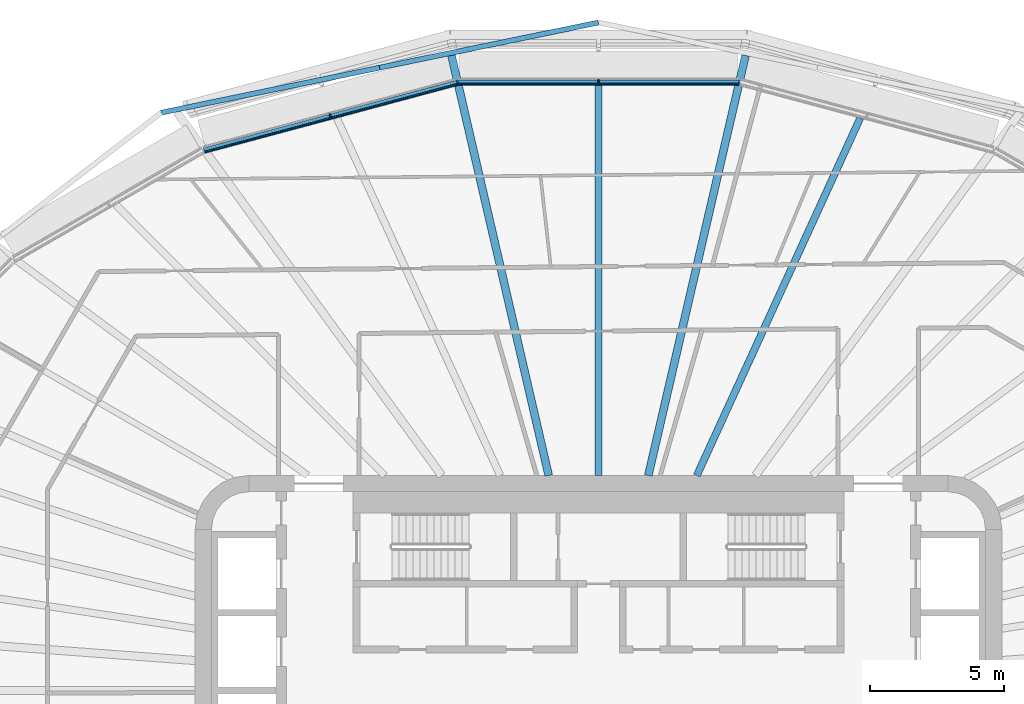
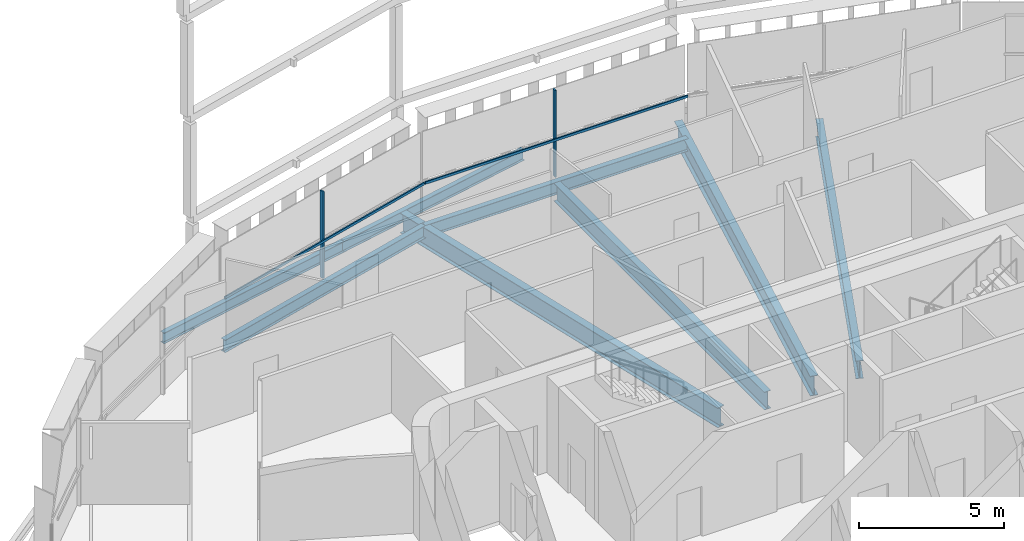
# One storey, part 7 of 22: 8 beams, 4 members, 2 elements without a shape of their own.
"""IFC4 building model written with IfcOpenShell, lengths in metres."""

from ifc_helpers import new_model, si_unit, direction, frame, origin, origin_2d, place, context, subcontext, project, spatial, rectangle, i_section, extrude, material, layer, layer_set, material_profile, profile_set, type_object, element, aggregate, save


model = new_model("IFC4")

# Units and contexts
model_context = context("Model", 3, precision=1e-05, world=origin(), true_north=direction((0.0, 1.0)))
body_context = subcontext(model_context, "Body", "Model", "MODEL_VIEW")
ifc_project = project(units=[si_unit("LENGTHUNIT", "METRE"), si_unit("AREAUNIT", "SQUARE_METRE"), si_unit("VOLUMEUNIT", "CUBIC_METRE"), si_unit("PLANEANGLEUNIT", "RADIAN"), si_unit("MASSUNIT", "GRAM", prefix="KILO")], contexts=[model_context])

# Site, building, storey
site_placement = place(None, origin())
site = spatial("IfcSite", under=ifc_project, at=site_placement, CompositionType="ELEMENT")
building_placement = place(site_placement, origin())
building = spatial("IfcBuilding", under=site, at=building_placement, Name="Sahrelin Media Tower", CompositionType="ELEMENT")
storey_placement = place(building_placement, frame((0.0, 0.0, 50.39990234375)))
storey = spatial("IfcBuildingStorey", under=building, at=storey_placement, Name="L07", CompositionType="ELEMENT", Elevation=50.39990234375)

# Beams
ifc_material_1 = material(Name="Steel S355", Category="steel")
ifc_material_profile_1 = material_profile(ifc_material_1, i_section(OverallWidth=0.208740234375, OverallDepth=0.5283203125, WebThickness=0.009521484375, FlangeThickness=0.01318359375, FilletRadius=0.0126953125, at=origin_2d()), Name="UB 533x210x82")
ifc_profile_set_1 = profile_set([ifc_material_profile_1], Name="Steel S355")
beam_type_1 = type_object("IfcBeamType", Name="Edge beam EB6", PredefinedType="BEAM", material=ifc_profile_set_1)
beam_1_placement = place(storey_placement, frame((-14.66748046875, 20.07763671875, -0.4140625), z_axis=(0.96592925142, 0.258806262002, 0.0), x_axis=(-0.258806262002, 0.96592925142, 0.0)))
element("IfcBeam", 1, at=beam_1_placement, inside=storey, type_object=beam_type_1, Name="Edge beam L07-18", PredefinedType="BEAM", context=body_context, shape_type="SweptSolid", body=[
    extrude(i_section(OverallWidth=0.208740234375, OverallDepth=0.5283203125, WebThickness=0.009521484375, FlangeThickness=0.01318359375, FilletRadius=0.0126953125, at=origin_2d()), origin(), (0.0, 0.0, 1.0), 9.738037109375),
])
beam_2_placement = place(storey_placement, frame((-5.232666015625, 22.601806640625, -0.4140625), z_axis=(1.0, 0.0, 0.0), x_axis=(0.0, 1.0, 0.0)))
element("IfcBeam", 2, at=beam_2_placement, inside=storey, type_object=beam_type_1, Name="Edge beam L07-19", PredefinedType="BEAM", context=body_context, shape_type="SweptSolid", body=[
    extrude(i_section(OverallWidth=0.208740234375, OverallDepth=0.5283203125, WebThickness=0.009521484375, FlangeThickness=0.01318359375, FilletRadius=0.0126953125, at=origin_2d()), origin(), (0.0, 0.0, 1.0), 10.46533203125),
])

# Curtain wall, member
ifc_material_2 = material(Name="Champagne anodised aluminium 6063-T6", Category="aluminium")
ifc_layer = layer(ifc_material_2, 0.14990234375)
ifc_layer_set = layer_set([ifc_layer], Name="Tower ribbon curtain wall")
curtain_wall_type = type_object("IfcCurtainWallType", Name="Tower ribbon curtain wall", PredefinedType="NOTDEFINED", material=ifc_layer_set)
curtain_wall_1_placement = place(storey_placement, frame((0.0, 22.751708984375, 0.0), z_axis=(0.0, 0.0, 1.0), x_axis=(1.0, 0.0, 0.0)))
curtain_wall_1 = element("IfcCurtainWall", 3, at=curtain_wall_1_placement, inside=storey, type_object=curtain_wall_type, Name="L07:CW:L07-06", PredefinedType="NOTDEFINED")
ifc_material_profile_2 = material_profile(ifc_material_2, rectangle(XDim=0.06005859375, YDim=0.14990234375, at=origin_2d()), Name="Mullion 60x150")
ifc_profile_set_2 = profile_set([ifc_material_profile_2], Name="Champagne anodised aluminium 6063-T6")
member_type_1 = type_object("IfcMemberType", Name="Mullion 60x150 CW1", PredefinedType="MULLION", material=ifc_profile_set_2)
member_1_placement = place(storey_placement, frame((0.0, 22.65673828125, 0.0), z_axis=(0.0, 0.0, 1.0), x_axis=(-1.0, 0.0, 0.0)))
member_1 = element("IfcMember", 4, at=member_1_placement, type_object=member_type_1, Name="L07:CWM:L07-06", PredefinedType="MULLION", context=body_context, shape_type="SweptSolid", body=[
    extrude(rectangle(XDim=0.06005859375, YDim=0.14990234375, at=origin_2d()), origin(), (0.0, 0.0, 1.0), 3.648681640625),
])

curtain_wall_2_placement = place(storey_placement, frame((-10.003173828125, 21.482666015625, 0.0), z_axis=(0.0, 0.0, 1.0), x_axis=(1.0, 0.0, 0.0)))
curtain_wall_2 = element("IfcCurtainWall", 5, at=curtain_wall_2_placement, inside=storey, type_object=curtain_wall_type, Name="L07:CW:L07-07", PredefinedType="NOTDEFINED")
member_2_placement = place(storey_placement, frame((-9.978515625, 21.39111328125, 0.0), z_axis=(0.0, 0.0, 1.0), x_axis=(-0.965927181449, -0.258813987523, 0.0)))
member_2 = element("IfcMember", 6, at=member_2_placement, type_object=member_type_1, Name="L07:CWM:L07-07", PredefinedType="MULLION", context=body_context, shape_type="SweptSolid", body=[
    extrude(rectangle(XDim=0.06005859375, YDim=0.14990234375, at=origin_2d()), origin(), (0.0, 0.0, 1.0), 3.648681640625),
])

# Beams
ifc_material_profile_3 = material_profile(ifc_material_1, i_section(OverallWidth=0.291748046875, OverallDepth=0.8349609375, WebThickness=0.013916015625, FlangeThickness=0.018798828125, FilletRadius=0.017822265625, at=origin_2d()), Name="UB 838x292x176")
ifc_profile_set_3 = profile_set([ifc_material_profile_3], Name="Steel S355")
beam_type_2 = type_object("IfcBeamType", Name="Radial primary beam PB10", PredefinedType="BEAM", material=ifc_profile_set_3)
for number, where, z_axis, x_axis, name in (
    (7, (1.85205078125, 8.0, -0.5673828125), (0.225518807916, 0.974238814294, 0.0), (-0.974238814294, 0.225518807916, 0.0), "Radial beam L07-06"),
    (8, (-1.85205078125, 8.0, -0.5673828125), (-0.225518807916, 0.974238814294, 0.0), (-0.974238814294, -0.225518807916, 0.0), "Radial beam L07-07"),
):
    element("IfcBeam", number, at=place(storey_placement, frame(where, z_axis=z_axis, x_axis=x_axis)), inside=storey, type_object=beam_type_2, Name=name, PredefinedType="BEAM", context=body_context, shape_type="SweptSolid", body=[
        extrude(i_section(OverallWidth=0.291748046875, OverallDepth=0.8349609375, WebThickness=0.013916015625, FlangeThickness=0.018798828125, FilletRadius=0.017822265625, at=origin_2d()), origin(), (0.0, 0.0, 1.0), 16.0361328125),
    ])
ifc_material_profile_4 = material_profile(ifc_material_1, i_section(OverallWidth=0.26513671875, OverallDepth=0.75390625, WebThickness=0.0126953125, FlangeThickness=0.017578125, FilletRadius=0.0166015625, at=origin_2d()), Name="UB 762x267x147")
ifc_profile_set_4 = profile_set([ifc_material_profile_4], Name="Steel S355")
beam_type_3 = type_object("IfcBeamType", Name="Radial secondary beam SB9", PredefinedType="BEAM", material=ifc_profile_set_4)
beam_3_placement = place(storey_placement, frame((3.656982421875, 8.0, -0.52685546875), z_axis=(0.415742784264, 0.909482235853, 0.0), x_axis=(-0.909482235853, 0.415742784264, 0.0)))
element("IfcBeam", 9, at=beam_3_placement, inside=storey, type_object=beam_type_3, Name="Secondary beam L07-05", PredefinedType="BEAM", context=body_context, shape_type="SweptSolid", body=[
    extrude(i_section(OverallWidth=0.26513671875, OverallDepth=0.75390625, WebThickness=0.0126953125, FlangeThickness=0.017578125, FilletRadius=0.0166015625, at=origin_2d()), origin(), (0.0, 0.0, 1.0), 14.61474609375),
])
beam_4_placement = place(storey_placement, frame((0.0, 8.0, -0.52685546875), z_axis=(0.0, 1.0, 0.0), x_axis=(-1.0, 0.0, 0.0)))
element("IfcBeam", 10, at=beam_4_placement, inside=storey, type_object=beam_type_3, Name="Secondary beam L07-06", PredefinedType="BEAM", context=body_context, shape_type="SweptSolid", body=[
    extrude(i_section(OverallWidth=0.26513671875, OverallDepth=0.75390625, WebThickness=0.0126953125, FlangeThickness=0.017578125, FilletRadius=0.0166015625, at=origin_2d()), origin(), (0.0, 0.0, 1.0), 14.497314453125),
])
ifc_material_profile_5 = material_profile(ifc_material_1, i_section(OverallWidth=0.1904296875, OverallDepth=0.45703125, WebThickness=0.009033203125, FlangeThickness=0.014404296875, FilletRadius=0.01025390625, at=origin_2d()), Name="UB 457x191x74")
ifc_profile_set_5 = profile_set([ifc_material_profile_5], Name="Steel S355")
beam_type_4 = type_object("IfcBeamType", Name="Tie chord TC5", PredefinedType="BEAM", material=ifc_profile_set_5)
beam_5_placement = place(storey_placement, frame((-16.26904296875, 21.492919921875, -0.37841796875), z_axis=(0.979395648477, 0.201950894386, 0.0), x_axis=(-0.201950894386, 0.979395648477, 0.0)))
element("IfcBeam", 11, at=beam_5_placement, inside=storey, type_object=beam_type_4, Name="Tie chord L07-17", PredefinedType="BEAM", context=body_context, shape_type="SweptSolid", body=[
    extrude(i_section(OverallWidth=0.1904296875, OverallDepth=0.45703125, WebThickness=0.009033203125, FlangeThickness=0.014404296875, FilletRadius=0.01025390625, at=origin_2d()), origin(), (0.0, 0.0, 1.0), 8.299072265625),
])
beam_6_placement = place(storey_placement, frame((-8.140869140625, 23.1689453125, -0.37841796875), z_axis=(0.979376603449, 0.202043234522, 0.0), x_axis=(-0.202043234522, 0.979376603449, 0.0)))
element("IfcBeam", 12, at=beam_6_placement, inside=storey, type_object=beam_type_4, Name="Tie chord L07-18", PredefinedType="BEAM", context=body_context, shape_type="SweptSolid", body=[
    extrude(i_section(OverallWidth=0.1904296875, OverallDepth=0.45703125, WebThickness=0.009033203125, FlangeThickness=0.014404296875, FilletRadius=0.01025390625, at=origin_2d()), origin(), (0.0, 0.0, 1.0), 8.312255859375),
])

# Member
ifc_material_profile_6 = material_profile(ifc_material_2, rectangle(XDim=0.050048828125, YDim=0.10009765625, at=origin_2d()), Name="Transom 50x100")
ifc_profile_set_6 = profile_set([ifc_material_profile_6], Name="Champagne anodised aluminium 6063-T6")
member_type_2 = type_object("IfcMemberType", Name="Transom 50x100 CW1", PredefinedType="USERDEFINED", material=ifc_profile_set_6)
member_3_placement = place(storey_placement, frame((5.216796875, 22.556884765625, 1.60009765625), z_axis=(-1.0, 0.0, 0.0), x_axis=(0.0, -1.0, 0.0)))
member_3 = element("IfcMember", 13, at=member_3_placement, type_object=member_type_2, Name="L07:CWT:L07-06", ObjectType="TRANSOM", PredefinedType="USERDEFINED", context=body_context, shape_type="SweptSolid", body=[
    extrude(rectangle(XDim=0.050048828125, YDim=0.10009765625, at=origin_2d()), origin(), (0.0, 0.0, 1.0), 10.43359375),
])

aggregate(curtain_wall_1, [member_1, member_3])

member_4_placement = place(storey_placement, frame((-5.2646484375, 22.550537109375, 1.60009765625), z_axis=(-0.965927843343, -0.258811517238, 0.0), x_axis=(0.258811517238, -0.965927843343, 0.0)))
member_4 = element("IfcMember", 14, at=member_4_placement, type_object=member_type_2, Name="L07:CWT:L07-07", ObjectType="TRANSOM", PredefinedType="USERDEFINED", context=body_context, shape_type="SweptSolid", body=[
    extrude(rectangle(XDim=0.050048828125, YDim=0.10009765625, at=origin_2d()), origin(), (0.0, 0.0, 1.0), 9.706787109375),
])

aggregate(curtain_wall_2, [member_2, member_4])

save(model, "model.ifc")
